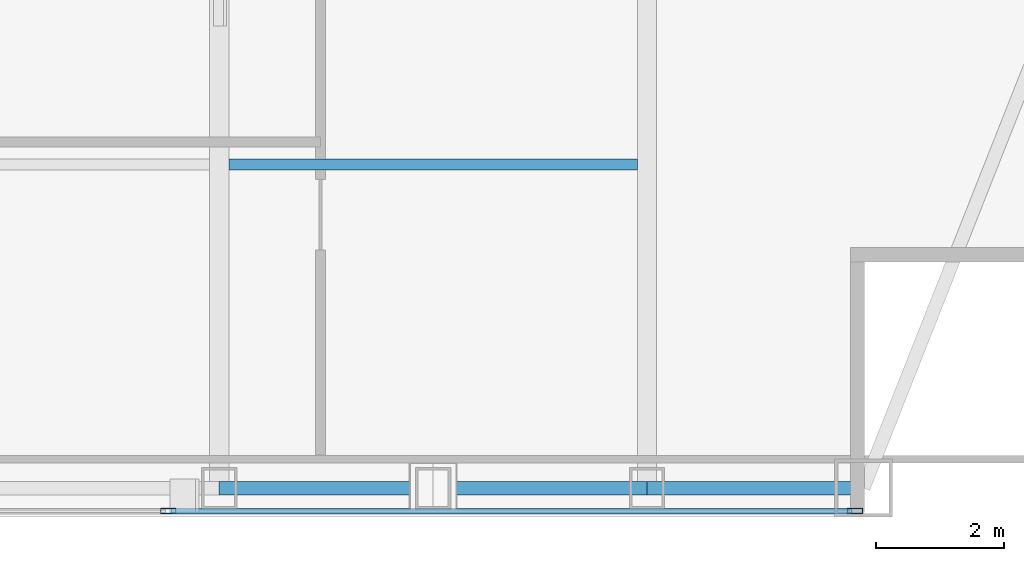
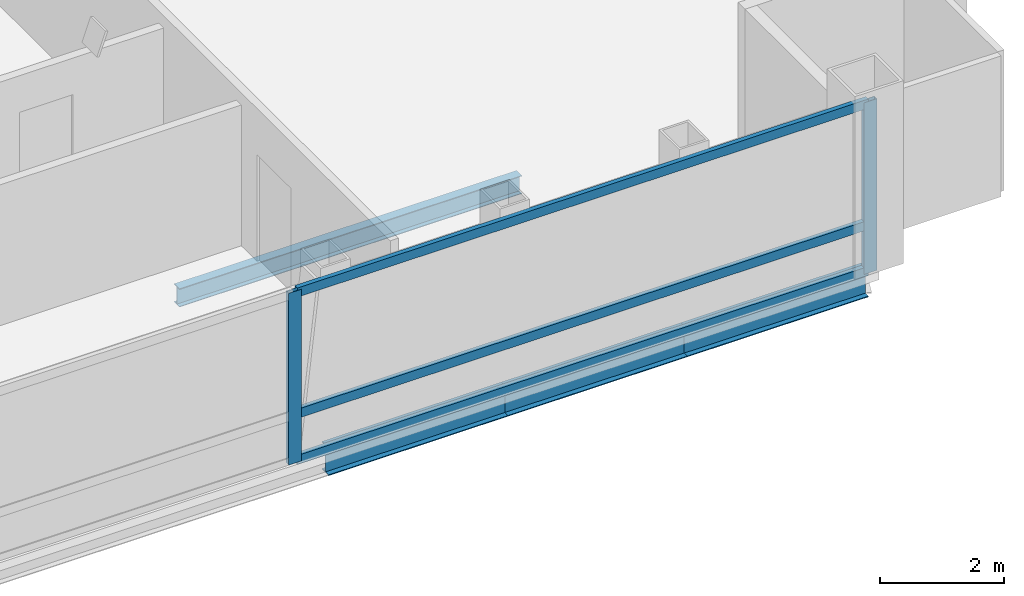
# One storey, part 10 of 24: 5 members, 4 beams, 1 element without a shape of its own.
"""IFC4 building model written with IfcOpenShell, lengths in metres."""

from ifc_helpers import new_model, si_unit, direction, frame, origin, origin_2d, place, context, subcontext, project, spatial, hollow_rectangle, i_section, extrude, material, material_profile, profile_set, type_object, element, aggregate, save


model = new_model("IFC4")

# Units and contexts
model_context = context("Model", 3, precision=1e-05, world=origin(), true_north=direction((0.0, 1.0)))
body_context = subcontext(model_context, "Body", "Model", "MODEL_VIEW")
ifc_project = project(units=[si_unit("LENGTHUNIT", "METRE"), si_unit("AREAUNIT", "SQUARE_METRE"), si_unit("VOLUMEUNIT", "CUBIC_METRE"), si_unit("PLANEANGLEUNIT", "RADIAN"), si_unit("MASSUNIT", "GRAM", prefix="KILO")], contexts=[model_context])

# Site, building, storey
site_placement = place(None, origin())
site = spatial("IfcSite", under=ifc_project, at=site_placement, CompositionType="ELEMENT")
building_placement = place(site_placement, origin())
building = spatial("IfcBuilding", under=site, at=building_placement, Name="Khoronbel Lancet Exchange", CompositionType="ELEMENT")
storey_placement = place(building_placement, frame((0.0, 0.0, 347.0)))
storey = spatial("IfcBuildingStorey", under=building, at=storey_placement, Name="L90", CompositionType="ELEMENT", Elevation=347.0)

# Beams
ifc_material_1 = material(Name="Steel S355", Category="steel")
ifc_material_profile_1 = material_profile(ifc_material_1, i_section(OverallWidth=0.169921875, OverallDepth=0.360107421875, WebThickness=0.008056640625, FlangeThickness=0.0126953125, at=origin_2d()), Name="IPE 360")
ifc_profile_set_1 = profile_set([ifc_material_profile_1], Name="Steel S355")
beam_type_1 = type_object("IfcBeamType", Name="BM-BJ6", PredefinedType="JOIST", material=ifc_profile_set_1)
beam_1_placement = place(storey_placement, frame((48.14990234375, 15.199951171875, -0.340087890625), z_axis=(1.0, 0.0, 0.0), x_axis=(0.0, 1.0, 0.0)))
element("IfcBeam", 1, at=beam_1_placement, inside=storey, type_object=beam_type_1, Name="Level L90 secondary composite joist J03", PredefinedType="JOIST", context=body_context, shape_type="SweptSolid", body=[
    extrude(i_section(OverallWidth=0.169921875, OverallDepth=0.360107421875, WebThickness=0.008056640625, FlangeThickness=0.0126953125, at=origin_2d()), origin(), (0.0, 0.0, 1.0), 6.375),
])
ifc_material_profile_2 = material_profile(ifc_material_1, i_section(OverallWidth=0.2099609375, OverallDepth=0.550048828125, WebThickness=0.010986328125, FlangeThickness=0.01708984375, at=origin_2d()), Name="IPE 550")
ifc_profile_set_2 = profile_set([ifc_material_profile_2], Name="Steel S355")
beam_type_2 = type_object("IfcBeamType", Name="BM-BSP3", PredefinedType="SPANDREL", material=ifc_profile_set_2)
beam_2_placement = place(storey_placement, frame((48.0, 10.14990234375, -0.43505859375), z_axis=(1.0, 0.0, 0.0), x_axis=(0.0, 1.0, 0.0)))
element("IfcBeam", 2, at=beam_2_placement, inside=storey, type_object=beam_type_2, Name="Level L90 perimeter spandrel beam SP05", PredefinedType="SPANDREL", context=body_context, shape_type="SweptSolid", body=[
    extrude(i_section(OverallWidth=0.2099609375, OverallDepth=0.550048828125, WebThickness=0.010986328125, FlangeThickness=0.01708984375, at=origin_2d()), origin(), (0.0, 0.0, 1.0), 3.33740234375),
])
beam_3_placement = place(storey_placement, frame((51.33740234375, 10.14990234375, -0.43505859375), z_axis=(1.0, 0.0, 0.0), x_axis=(0.0, 1.0, 0.0)))
element("IfcBeam", 3, at=beam_3_placement, inside=storey, type_object=beam_type_2, Name="Level L90 perimeter spandrel beam SP06", PredefinedType="SPANDREL", context=body_context, shape_type="SweptSolid", body=[
    extrude(i_section(OverallWidth=0.2099609375, OverallDepth=0.550048828125, WebThickness=0.010986328125, FlangeThickness=0.01708984375, at=origin_2d()), origin(), (0.0, 0.0, 1.0), 3.337646484375),
])
beam_4_placement = place(storey_placement, frame((54.675048828125, 10.14990234375, -0.43505859375), z_axis=(1.0, 0.0, 0.0), x_axis=(0.0, 1.0, 0.0)))
element("IfcBeam", 4, at=beam_4_placement, inside=storey, type_object=beam_type_2, Name="Level L90 perimeter spandrel beam SP07", PredefinedType="SPANDREL", context=body_context, shape_type="SweptSolid", body=[
    extrude(i_section(OverallWidth=0.2099609375, OverallDepth=0.550048828125, WebThickness=0.010986328125, FlangeThickness=0.01708984375, at=origin_2d()), origin(), (0.0, 0.0, 1.0), 3.375),
])

# Curtain wall, members
ifc_material_2 = material(Name="Low-E Solar Control Insulating Glass", Category="glass")
curtain_wall_type = type_object("IfcCurtainWallType", Name="CW-3", PredefinedType="NOTDEFINED", material=ifc_material_2)
curtain_wall_placement = place(storey_placement, origin())
curtain_wall = element("IfcCurtainWall", 5, at=curtain_wall_placement, inside=storey, type_object=curtain_wall_type, Name="Unitised curtain wall CW-L90-E12", PredefinedType="NOTDEFINED")
ifc_material_3 = material(Name="Bronze-Anodised Aluminium 6063-T6", Category="aluminium")
ifc_material_profile_3 = material_profile(ifc_material_3, hollow_rectangle(XDim=0.0849609375, YDim=0.239990234375, WallThickness=0.006103515625, at=origin_2d()), Name="ALU MULLION 85x240")
ifc_profile_set_3 = profile_set([ifc_material_profile_3], Name="Bronze-Anodised Aluminium 6063-T6")
member_type_1 = type_object("IfcMemberType", Name="MEM-CWM1", PredefinedType="MULLION", material=ifc_profile_set_3)
member_1_placement = place(storey_placement, frame((57.91748046875, 9.7900390625, 0.0), z_axis=(0.0, 0.0, 1.0), x_axis=(0.0, -1.0, 0.0)))
member_1 = element("IfcMember", 6, at=member_1_placement, type_object=member_type_1, Name="CW3 mullion 1", PredefinedType="MULLION", context=body_context, shape_type="SweptSolid", body=[
    extrude(hollow_rectangle(XDim=0.0849609375, YDim=0.239990234375, WallThickness=0.006103515625, at=origin_2d()), origin(), (0.0, 0.0, 1.0), 3.3798828125),
])
member_2_placement = place(storey_placement, frame((47.205078125, 9.7900390625, 0.0), z_axis=(0.0, 0.0, 1.0), x_axis=(0.0, -1.0, 0.0)))
member_2 = element("IfcMember", 7, at=member_2_placement, type_object=member_type_1, Name="CW3 mullion 2", PredefinedType="MULLION", context=body_context, shape_type="SweptSolid", body=[
    extrude(hollow_rectangle(XDim=0.0849609375, YDim=0.239990234375, WallThickness=0.006103515625, at=origin_2d()), origin(), (0.0, 0.0, 1.0), 3.3798828125),
])
ifc_material_profile_4 = material_profile(ifc_material_3, hollow_rectangle(XDim=0.0849609375, YDim=0.179931640625, WallThickness=0.0048828125, at=origin_2d()), Name="ALU TRANSOM 85x180")
ifc_profile_set_4 = profile_set([ifc_material_profile_4], Name="Bronze-Anodised Aluminium 6063-T6")
member_type_2 = type_object("IfcMemberType", Name="MEM-CWT1", PredefinedType="USERDEFINED", material=ifc_profile_set_4)
member_3_placement = place(storey_placement, frame((57.875, 9.7900390625, 0.04248046875), z_axis=(-1.0, 0.0, 0.0), x_axis=(0.0, -1.0, 0.0)))
member_3 = element("IfcMember", 8, at=member_3_placement, type_object=member_type_2, Name="CW3 transom 1.1", ObjectType="TRANSOM", PredefinedType="USERDEFINED", context=body_context, shape_type="SweptSolid", body=[
    extrude(hollow_rectangle(XDim=0.0849609375, YDim=0.179931640625, WallThickness=0.0048828125, at=origin_2d()), origin(), (0.0, 0.0, 1.0), 10.62744140625),
])
member_4_placement = place(storey_placement, frame((57.875, 9.7900390625, 0.949951171875), z_axis=(-1.0, 0.0, 0.0), x_axis=(0.0, -1.0, 0.0)))
member_4 = element("IfcMember", 9, at=member_4_placement, type_object=member_type_2, Name="CW3 transom 1.2", ObjectType="TRANSOM", PredefinedType="USERDEFINED", context=body_context, shape_type="SweptSolid", body=[
    extrude(hollow_rectangle(XDim=0.0849609375, YDim=0.179931640625, WallThickness=0.0048828125, at=origin_2d()), origin(), (0.0, 0.0, 1.0), 10.62744140625),
])
member_5_placement = place(storey_placement, frame((57.875, 9.7900390625, 3.33740234375), z_axis=(-1.0, 0.0, 0.0), x_axis=(0.0, -1.0, 0.0)))
member_5 = element("IfcMember", 10, at=member_5_placement, type_object=member_type_2, Name="CW3 transom 1.3", ObjectType="TRANSOM", PredefinedType="USERDEFINED", context=body_context, shape_type="SweptSolid", body=[
    extrude(hollow_rectangle(XDim=0.0849609375, YDim=0.179931640625, WallThickness=0.0048828125, at=origin_2d()), origin(), (0.0, 0.0, 1.0), 10.62744140625),
])
aggregate(curtain_wall, [member_1, member_2, member_3, member_4, member_5])

save(model, "model.ifc")
